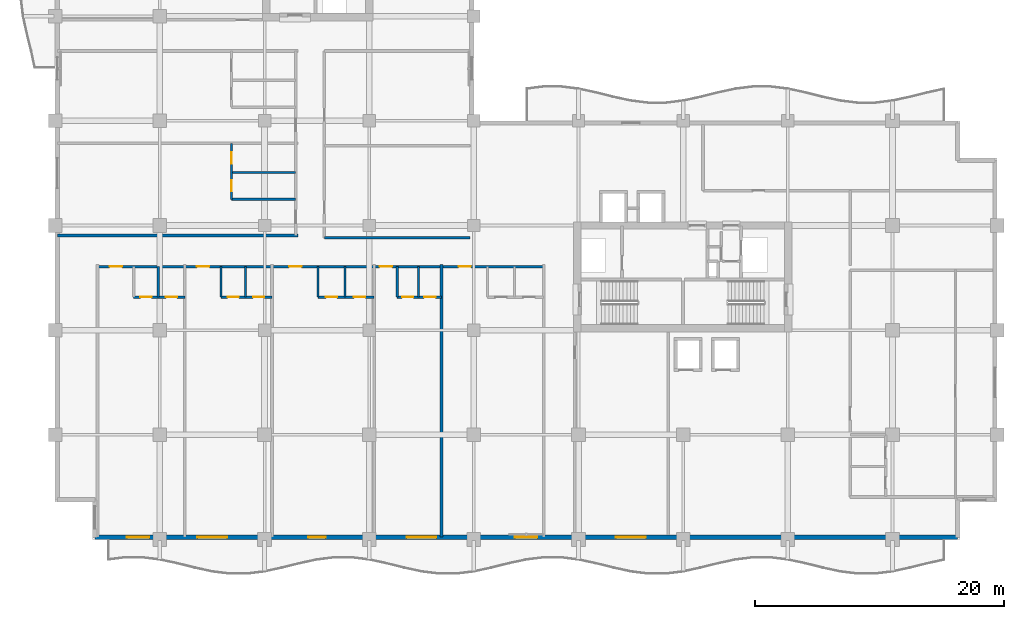
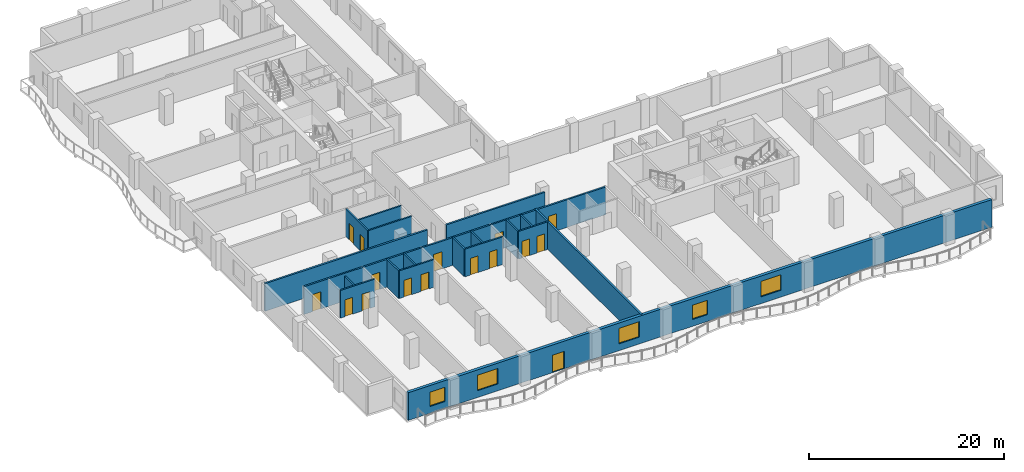
# One storey, part 4 of 15: 19 walls, 16 doors, 5 windows, 21 openings.
"""IFC4 building model written with IfcOpenShell, lengths in metres."""

from ifc_helpers import new_model, si_unit, direction, frame, frame_2d, origin, place, context, subcontext, project, spatial, rectangle, extrude, material, layer, layer_set, type_object, element, fill, save


model = new_model("IFC4")

# Units and contexts
model_context = context("Model", 3, precision=1e-05, world=origin(), true_north=direction((0.0, 1.0)))
body_context = subcontext(model_context, "Body", "Model", "MODEL_VIEW")
ifc_project = project(units=[si_unit("LENGTHUNIT", "METRE"), si_unit("AREAUNIT", "SQUARE_METRE"), si_unit("VOLUMEUNIT", "CUBIC_METRE"), si_unit("PLANEANGLEUNIT", "RADIAN"), si_unit("MASSUNIT", "GRAM", prefix="KILO")], contexts=[model_context])

# Site, building, storey
site_placement = place(None, origin())
site = spatial("IfcSite", under=ifc_project, at=site_placement, CompositionType="ELEMENT")
building_placement = place(site_placement, origin())
building = spatial("IfcBuilding", under=site, at=building_placement, Name="Koriwani Terraces Tower", CompositionType="ELEMENT")
storey_placement = place(building_placement, frame((0.0, 0.0, 193.89990234375)))
storey = spatial("IfcBuildingStorey", under=building, at=storey_placement, Name="L47", CompositionType="ELEMENT", Elevation=193.89990234375)

# Wall
ifc_material_1 = material(Name="Autoclaved Cellular Concrete Blockwork", Category="masonry")
ifc_layer_1 = layer(ifc_material_1, 0.199951171875, Name="Autoclaved Cellular Concrete Blockwork")
ifc_layer_set_1 = layer_set([ifc_layer_1], Name="Autoclaved Cellular Concrete Blockwork")
wall_type_1 = type_object("IfcWallType", Name="WALL_CORRIDOR_200", PredefinedType="PARTITIONING", material=ifc_layer_set_1)
wall_1_placement = place(storey_placement, frame((21.60009765625, 24.199951171875, 0.0), z_axis=(0.0, 0.0, 1.0), x_axis=(1.0, 0.0, 0.0)))
element("IfcWall", 1, at=wall_1_placement, inside=storey, type_object=wall_type_1, Name="L47 Interior Wall WIC2-S-L47", PredefinedType="PARTITIONING", context=body_context, shape_type="SweptSolid", body=[
    extrude(rectangle(XDim=11.699951171875, YDim=0.199951171875, at=frame_2d((5.85009765625, 0.0))), origin(), (0.0, 0.0, 1.0), 3.47021484375),
])

# Wall, openings, doors
wall_2_placement = place(storey_placement, frame((3.39990234375, 21.89990234375, 0.0), z_axis=(0.0, 0.0, 1.0), x_axis=(1.0, 0.0, 0.0)))
wall_2 = element("IfcWall", 2, at=wall_2_placement, inside=storey, type_object=wall_type_1, Name="L47 Interior Wall WRCOR-L47-SW-0", PredefinedType="PARTITIONING", context=body_context, shape_type="SweptSolid", body=[
    extrude(rectangle(XDim=35.800048828125, YDim=0.199951171875, at=frame_2d((17.89990234375, 0.0))), origin(), (0.0, 0.0, 1.0), 3.47021484375),
])
opening_1_placement = place(wall_2_placement, frame((0.969970703125, 0.0, 0.0)))
opening_1 = element("IfcOpeningElement", 3, at=opening_1_placement, cuts=wall_2, Name="Opening D-05", PredefinedType="OPENING", context=body_context, shape_type="SweptSolid", body=[
    extrude(rectangle(XDim=1.0, YDim=2.14990234375, at=frame_2d((0.5, 1.074951171875))), frame((0.0, 0.10986328125, 0.0), z_axis=(0.0, -1.0, 0.0), x_axis=(1.0, 0.0, 0.0)), (0.0, 0.0, 1.0), 0.219970703125),
])
opening_2_placement = place(wall_2_placement, frame((7.969970703125, 0.0, 0.0)))
opening_2 = element("IfcOpeningElement", 4, at=opening_2_placement, cuts=wall_2, Name="Opening D-05", PredefinedType="OPENING", context=body_context, shape_type="SweptSolid", body=[
    extrude(rectangle(XDim=1.0, YDim=2.14990234375, at=frame_2d((0.5, 1.074951171875))), frame((0.0, 0.10986328125, 0.0), z_axis=(0.0, -1.0, 0.0), x_axis=(1.0, 0.0, 0.0)), (0.0, 0.0, 1.0), 0.219970703125),
])
opening_3_placement = place(wall_2_placement, frame((15.3701171875, 0.0, 0.0)))
opening_3 = element("IfcOpeningElement", 5, at=opening_3_placement, cuts=wall_2, Name="Opening D-05", PredefinedType="OPENING", context=body_context, shape_type="SweptSolid", body=[
    extrude(rectangle(XDim=1.0, YDim=2.14990234375, at=frame_2d((0.5, 1.074951171875))), frame((0.0, 0.10986328125, 0.0), z_axis=(0.0, -1.0, 0.0), x_axis=(1.0, 0.0, 0.0)), (0.0, 0.0, 1.0), 0.219970703125),
])
opening_4_placement = place(wall_2_placement, frame((22.64501953125, 0.0, 0.0)))
opening_4 = element("IfcOpeningElement", 6, at=opening_4_placement, cuts=wall_2, Name="Opening D-05", PredefinedType="OPENING", context=body_context, shape_type="SweptSolid", body=[
    extrude(rectangle(XDim=1.0, YDim=2.14990234375, at=frame_2d((0.5, 1.074951171875))), frame((0.0, 0.10986328125, 0.0), z_axis=(0.0, -1.0, 0.0), x_axis=(1.0, 0.0, 0.0)), (0.0, 0.0, 1.0), 0.219970703125),
])
opening_5_placement = place(wall_2_placement, frame((28.969970703125, 0.0, 0.0)))
opening_5 = element("IfcOpeningElement", 7, at=opening_5_placement, cuts=wall_2, Name="Opening D-05", PredefinedType="OPENING", context=body_context, shape_type="SweptSolid", body=[
    extrude(rectangle(XDim=1.0, YDim=2.14990234375, at=frame_2d((0.5, 1.074951171875))), frame((0.0, 0.10986328125, 0.0), z_axis=(0.0, -1.0, 0.0), x_axis=(1.0, 0.0, 0.0)), (0.0, 0.0, 1.0), 0.219970703125),
])
ifc_material_2 = material(Name="Architectural Oak Fire Door", Category="wood")
door_type_1 = type_object("IfcDoorType", Name="DOOR_SUITE_ENTRY_1000X2150", OperationType="NOTDEFINED", PredefinedType="DOOR", material=ifc_material_2)
door_1_placement = place(opening_1_placement, origin())
door_1 = element("IfcDoor", 8, at=door_1_placement, inside=storey, type_object=door_type_1, Name="Apartment 47SW1 Entrance Door", OperationType="SINGLE_SWING_LEFT", OverallHeight=2.14990234375, OverallWidth=1.0, PredefinedType="DOOR", context=body_context, shape_type="SweptSolid", body=[
    extrude(rectangle(XDim=1.0, YDim=2.14990234375, at=frame_2d((0.5, 1.074951171875))), frame((0.0, 0.02490234375, 0.0), z_axis=(0.0, -1.0, 0.0), x_axis=(1.0, 0.0, 0.0)), (0.0, 0.0, 1.0), 0.050048828125),
])
fill(opening_1, door_1)
door_2_placement = place(opening_2_placement, origin())
door_2 = element("IfcDoor", 9, at=door_2_placement, inside=storey, type_object=door_type_1, Name="Apartment 47SW2 Entrance Door", OperationType="SINGLE_SWING_RIGHT", OverallHeight=2.14990234375, OverallWidth=1.0, PredefinedType="DOOR", context=body_context, shape_type="SweptSolid", body=[
    extrude(rectangle(XDim=1.0, YDim=2.14990234375, at=frame_2d((0.5, 1.074951171875))), frame((0.0, 0.02490234375, 0.0), z_axis=(0.0, -1.0, 0.0), x_axis=(1.0, 0.0, 0.0)), (0.0, 0.0, 1.0), 0.050048828125),
])
fill(opening_2, door_2)
door_3_placement = place(opening_3_placement, origin())
door_3 = element("IfcDoor", 10, at=door_3_placement, inside=storey, type_object=door_type_1, Name="Apartment 47SW3 Entrance Door", OperationType="SINGLE_SWING_LEFT", OverallHeight=2.14990234375, OverallWidth=1.0, PredefinedType="DOOR", context=body_context, shape_type="SweptSolid", body=[
    extrude(rectangle(XDim=1.0, YDim=2.14990234375, at=frame_2d((0.5, 1.074951171875))), frame((0.0, 0.02490234375, 0.0), z_axis=(0.0, -1.0, 0.0), x_axis=(1.0, 0.0, 0.0)), (0.0, 0.0, 1.0), 0.050048828125),
])
fill(opening_3, door_3)
door_4_placement = place(opening_4_placement, origin())
door_4 = element("IfcDoor", 11, at=door_4_placement, inside=storey, type_object=door_type_1, Name="Apartment 47SW4 Entrance Door", OperationType="SINGLE_SWING_RIGHT", OverallHeight=2.14990234375, OverallWidth=1.0, PredefinedType="DOOR", context=body_context, shape_type="SweptSolid", body=[
    extrude(rectangle(XDim=1.0, YDim=2.14990234375, at=frame_2d((0.5, 1.074951171875))), frame((0.0, 0.02490234375, 0.0), z_axis=(0.0, -1.0, 0.0), x_axis=(1.0, 0.0, 0.0)), (0.0, 0.0, 1.0), 0.050048828125),
])
fill(opening_4, door_4)
door_5_placement = place(opening_5_placement, origin())
door_5 = element("IfcDoor", 12, at=door_5_placement, inside=storey, type_object=door_type_1, Name="Apartment 47SW5 Entrance Door", OperationType="SINGLE_SWING_LEFT", OverallHeight=2.14990234375, OverallWidth=1.0, PredefinedType="DOOR", context=body_context, shape_type="SweptSolid", body=[
    extrude(rectangle(XDim=1.0, YDim=2.14990234375, at=frame_2d((0.5, 1.074951171875))), frame((0.0, 0.02490234375, 0.0), z_axis=(0.0, -1.0, 0.0), x_axis=(1.0, 0.0, 0.0)), (0.0, 0.0, 1.0), 0.050048828125),
])
fill(opening_5, door_5)

# Walls
ifc_layer_2 = layer(ifc_material_1, 0.219970703125, Name="Autoclaved Cellular Concrete Blockwork")
ifc_layer_set_2 = layer_set([ifc_layer_2], Name="Autoclaved Cellular Concrete Blockwork")
wall_type_2 = type_object("IfcWallType", Name="WALL_DEMISING_220", PredefinedType="PARTITIONING", material=ifc_layer_set_2)
wall_3_placement = place(storey_placement, frame((31.0, 0.199951171875, 0.0), z_axis=(0.0, 0.0, 1.0), x_axis=(0.0, 1.0, 0.0)))
element("IfcWall", 13, at=wall_3_placement, inside=storey, type_object=wall_type_2, Name="L47 Interior Wall WRDEM-L47-SW-4", PredefinedType="PARTITIONING", context=body_context, shape_type="SweptSolid", body=[
    extrude(rectangle(XDim=21.880126953125, YDim=0.219970703125, at=frame_2d((10.93994140625, 0.0))), origin(), (0.0, 0.0, 1.0), 3.47021484375),
])
wall_4_placement = place(storey_placement, frame((0.199951171875, 24.39990234375, 0.0), z_axis=(0.0, 0.0, 1.0), x_axis=(1.0, 0.0, 0.0)))
element("IfcWall", 14, at=wall_4_placement, inside=storey, type_object=wall_type_2, Name="L47 Interior Wall WRDEM-L47-NW-0", PredefinedType="PARTITIONING", context=body_context, shape_type="SweptSolid", body=[
    extrude(rectangle(XDim=19.280029296875, YDim=0.219970703125, at=frame_2d((9.64013671875, 0.0))), origin(), (0.0, 0.0, 1.0), 3.47021484375),
])

# Wall, openings, door, windows
ifc_material_3 = material(Name="Concrete C50/60", Category="concrete")
ifc_layer_3 = layer(ifc_material_3, 0.35009765625, Name="Concrete C50/60")
ifc_layer_set_3 = layer_set([ifc_layer_3], Name="Concrete C50/60")
wall_type_3 = type_object("IfcWallType", Name="WALL_EXT_BRUTALIST_350", PredefinedType="STANDARD", material=ifc_layer_set_3)
wall_5_placement = place(storey_placement, frame((72.425048828125, 0.175048828125, 0.0), z_axis=(0.0, 0.0, 1.0), x_axis=(-1.0, 0.0, 0.0)))
wall_5 = element("IfcWall", 15, at=wall_5_placement, inside=storey, type_object=wall_type_3, Name="L47 Fair-Faced Brutalist Exterior Wall (S)", PredefinedType="STANDARD", context=body_context, shape_type="SweptSolid", body=[
    extrude(rectangle(XDim=69.25, YDim=0.35009765625, at=frame_2d((34.625, 0.0))), origin(), (0.0, 0.0, 1.0), 3.47021484375),
])
opening_6_placement = place(wall_5_placement, frame((50.72509765625, 0.0, 0.0)))
opening_6 = element("IfcOpeningElement", 16, at=opening_6_placement, cuts=wall_5, Name="Opening D-09", PredefinedType="OPENING", context=body_context, shape_type="SweptSolid", body=[
    extrude(rectangle(XDim=1.39990234375, YDim=2.199951171875, at=frame_2d((0.699951171875, 1.10009765625))), frame((0.0, 0.18505859375, 0.0), z_axis=(0.0, -1.0, 0.0), x_axis=(1.0, 0.0, 0.0)), (0.0, 0.0, 1.0), 0.3701171875),
])
opening_7_placement = place(wall_5_placement, frame((58.625, 0.0, 0.85009765625)))
opening_7 = element("IfcOpeningElement", 17, at=opening_7_placement, cuts=wall_5, Name="Opening W-03", PredefinedType="OPENING", context=body_context, shape_type="SweptSolid", body=[
    extrude(rectangle(XDim=2.39990234375, YDim=1.949951171875, at=frame_2d((1.199951171875, 0.97509765625))), frame((0.0, 0.18505859375, 0.0), z_axis=(0.0, -1.0, 0.0), x_axis=(1.0, 0.0, 0.0)), (0.0, 0.0, 1.0), 0.3701171875),
])
opening_8_placement = place(wall_5_placement, frame((41.824951171875, 0.0, 0.85009765625)))
opening_8 = element("IfcOpeningElement", 18, at=opening_8_placement, cuts=wall_5, Name="Opening W-03", PredefinedType="OPENING", context=body_context, shape_type="SweptSolid", body=[
    extrude(rectangle(XDim=2.39990234375, YDim=1.949951171875, at=frame_2d((1.199951171875, 0.97509765625))), frame((0.0, 0.18505859375, 0.0), z_axis=(0.0, -1.0, 0.0), x_axis=(1.0, 0.0, 0.0)), (0.0, 0.0, 1.0), 0.3701171875),
])
opening_9_placement = place(wall_5_placement, frame((33.72509765625, 0.0, 0.85009765625)))
opening_9 = element("IfcOpeningElement", 19, at=opening_9_placement, cuts=wall_5, Name="Opening W-04", PredefinedType="OPENING", context=body_context, shape_type="SweptSolid", body=[
    extrude(rectangle(XDim=1.800048828125, YDim=1.800048828125, at=frame_2d((0.89990234375, 0.89990234375))), frame((0.0, 0.18505859375, 0.0), z_axis=(0.0, -1.0, 0.0), x_axis=(1.0, 0.0, 0.0)), (0.0, 0.0, 1.0), 0.3701171875),
])
opening_10_placement = place(wall_5_placement, frame((25.02490234375, 0.0, 0.85009765625)))
opening_10 = element("IfcOpeningElement", 20, at=opening_10_placement, cuts=wall_5, Name="Opening W-03", PredefinedType="OPENING", context=body_context, shape_type="SweptSolid", body=[
    extrude(rectangle(XDim=2.39990234375, YDim=1.949951171875, at=frame_2d((1.199951171875, 0.97509765625))), frame((0.0, 0.18505859375, 0.0), z_axis=(0.0, -1.0, 0.0), x_axis=(1.0, 0.0, 0.0)), (0.0, 0.0, 1.0), 0.3701171875),
])
opening_11_placement = place(wall_5_placement, frame((64.875, 0.0, 0.85009765625)))
opening_11 = element("IfcOpeningElement", 21, at=opening_11_placement, cuts=wall_5, Name="Opening W-04", PredefinedType="OPENING", context=body_context, shape_type="SweptSolid", body=[
    extrude(rectangle(XDim=1.800048828125, YDim=1.800048828125, at=frame_2d((0.89990234375, 0.89990234375))), frame((0.0, 0.18505859375, 0.0), z_axis=(0.0, -1.0, 0.0), x_axis=(1.0, 0.0, 0.0)), (0.0, 0.0, 1.0), 0.3701171875),
])
ifc_material_4 = material(Name="Anodised Bronze Aluminium", Category="aluminium")
door_type_2 = type_object("IfcDoorType", Name="DOOR_BALCONY_GLAZED_1400X2200", OperationType="NOTDEFINED", PredefinedType="DOOR", material=ifc_material_4)
door_6_placement = place(opening_6_placement, origin())
door_6 = element("IfcDoor", 22, at=door_6_placement, inside=storey, type_object=door_type_2, Name="L47 South Balcony Glazed Door", OperationType="SINGLE_SWING_LEFT", OverallHeight=2.199951171875, OverallWidth=1.39990234375, PredefinedType="DOOR", context=body_context, shape_type="SweptSolid", body=[
    extrude(rectangle(XDim=1.39990234375, YDim=2.199951171875, at=frame_2d((0.699951171875, 1.10009765625))), frame((0.0, 0.02490234375, 0.0), z_axis=(0.0, -1.0, 0.0), x_axis=(1.0, 0.0, 0.0)), (0.0, 0.0, 1.0), 0.050048828125),
])
fill(opening_6, door_6)
ifc_material_5 = material(Name="Tempered Laminated Low-E Glass", Category="glass")
window_type_1 = type_object("IfcWindowType", Name="WIN_RES_BED_1800X1800", PartitioningType="DOUBLE_PANEL_VERTICAL", PredefinedType="WINDOW", material=ifc_material_5)
window_1_placement = place(opening_9_placement, origin())
window_1 = element("IfcWindow", 23, at=window_1_placement, inside=storey, type_object=window_type_1, Name="L47 Exterior Window (S-12)", OverallHeight=1.800048828125, OverallWidth=1.800048828125, PartitioningType="SINGLE_PANEL", PredefinedType="WINDOW", context=body_context, shape_type="SweptSolid", body=[
    extrude(rectangle(XDim=1.800048828125, YDim=1.800048828125, at=frame_2d((0.89990234375, 0.89990234375))), frame((0.0, 0.030029296875, 0.0), z_axis=(0.0, -1.0, 0.0), x_axis=(1.0, 0.0, 0.0)), (0.0, 0.0, 1.0), 0.06005859375),
])
fill(opening_9, window_1)
window_2_placement = place(opening_11_placement, origin())
window_2 = element("IfcWindow", 24, at=window_2_placement, inside=storey, type_object=window_type_1, Name="L47 Exterior Window (S-R34)", OverallHeight=1.800048828125, OverallWidth=1.800048828125, PartitioningType="SINGLE_PANEL", PredefinedType="WINDOW", context=body_context, shape_type="SweptSolid", body=[
    extrude(rectangle(XDim=1.800048828125, YDim=1.800048828125, at=frame_2d((0.89990234375, 0.89990234375))), frame((0.0, 0.030029296875, 0.0), z_axis=(0.0, -1.0, 0.0), x_axis=(1.0, 0.0, 0.0)), (0.0, 0.0, 1.0), 0.06005859375),
])
fill(opening_11, window_2)
window_type_2 = type_object("IfcWindowType", Name="WIN_RES_LIVING_2400X1950", PartitioningType="DOUBLE_PANEL_VERTICAL", PredefinedType="WINDOW", material=ifc_material_5)
window_3_placement = place(opening_7_placement, origin())
window_3 = element("IfcWindow", 25, at=window_3_placement, inside=storey, type_object=window_type_2, Name="L47 Exterior Window (S-3)", OverallHeight=1.949951171875, OverallWidth=2.39990234375, PartitioningType="SINGLE_PANEL", PredefinedType="WINDOW", context=body_context, shape_type="SweptSolid", body=[
    extrude(rectangle(XDim=2.39990234375, YDim=1.949951171875, at=frame_2d((1.199951171875, 0.97509765625))), frame((0.0, 0.030029296875, 0.0), z_axis=(0.0, -1.0, 0.0), x_axis=(1.0, 0.0, 0.0)), (0.0, 0.0, 1.0), 0.06005859375),
])
fill(opening_7, window_3)
window_4_placement = place(opening_8_placement, origin())
window_4 = element("IfcWindow", 26, at=window_4_placement, inside=storey, type_object=window_type_2, Name="L47 Exterior Window (S-9)", OverallHeight=1.949951171875, OverallWidth=2.39990234375, PartitioningType="SINGLE_PANEL", PredefinedType="WINDOW", context=body_context, shape_type="SweptSolid", body=[
    extrude(rectangle(XDim=2.39990234375, YDim=1.949951171875, at=frame_2d((1.199951171875, 0.97509765625))), frame((0.0, 0.030029296875, 0.0), z_axis=(0.0, -1.0, 0.0), x_axis=(1.0, 0.0, 0.0)), (0.0, 0.0, 1.0), 0.06005859375),
])
fill(opening_8, window_4)
window_5_placement = place(opening_10_placement, origin())
window_5 = element("IfcWindow", 27, at=window_5_placement, inside=storey, type_object=window_type_2, Name="L47 Exterior Window (S-15)", OverallHeight=1.949951171875, OverallWidth=2.39990234375, PartitioningType="SINGLE_PANEL", PredefinedType="WINDOW", context=body_context, shape_type="SweptSolid", body=[
    extrude(rectangle(XDim=2.39990234375, YDim=1.949951171875, at=frame_2d((1.199951171875, 0.97509765625))), frame((0.0, 0.030029296875, 0.0), z_axis=(0.0, -1.0, 0.0), x_axis=(1.0, 0.0, 0.0)), (0.0, 0.0, 1.0), 0.06005859375),
])
fill(opening_10, window_5)

# Wall, openings, doors
ifc_material_6 = material(Name="Fire-Rated Acoustic Gypsum Partition", Category="masonry")
ifc_layer_4 = layer(ifc_material_6, 0.179931640625, Name="Fire-Rated Acoustic Gypsum Partition")
ifc_layer_set_4 = layer_set([ifc_layer_4], Name="Fire-Rated Acoustic Gypsum Partition")
wall_type_4 = type_object("IfcWallType", Name="WALL_PLUMBING_180", PredefinedType="PLUMBINGWALL", material=ifc_layer_set_4)
wall_6_placement = place(storey_placement, frame((6.300048828125, 19.449951171875, 0.0), z_axis=(0.0, 0.0, 1.0), x_axis=(1.0, 0.0, 0.0)))
wall_6 = element("IfcWall", 28, at=wall_6_placement, inside=storey, type_object=wall_type_4, Name="L47 Interior Wall WRSVC-L47-SW-0", PredefinedType="PLUMBINGWALL", context=body_context, shape_type="SweptSolid", body=[
    extrude(rectangle(XDim=4.099853515625, YDim=0.179931640625, at=frame_2d((2.0498046875, 0.0))), origin(), (0.0, 0.0, 1.0), 3.47021484375),
])
opening_12_placement = place(wall_6_placement, frame((0.533935546875, 0.0, 0.0)))
opening_12 = element("IfcOpeningElement", 29, at=opening_12_placement, cuts=wall_6, Name="Opening D-07", PredefinedType="OPENING", context=body_context, shape_type="SweptSolid", body=[
    extrude(rectangle(XDim=0.89990234375, YDim=2.10009765625, at=frame_2d((0.449951171875, 1.050048828125))), frame((0.0, 0.10009765625, 0.0), z_axis=(0.0, -1.0, 0.0), x_axis=(1.0, 0.0, 0.0)), (0.0, 0.0, 1.0), 0.199951171875),
])
opening_13_placement = place(wall_6_placement, frame((2.573974609375, 0.0, 0.0)))
opening_13 = element("IfcOpeningElement", 30, at=opening_13_placement, cuts=wall_6, Name="Opening D-06", PredefinedType="OPENING", context=body_context, shape_type="SweptSolid", body=[
    extrude(rectangle(XDim=0.919921875, YDim=2.10009765625, at=frame_2d((0.4599609375, 1.050048828125))), frame((0.0, 0.10009765625, 0.0), z_axis=(0.0, -1.0, 0.0), x_axis=(1.0, 0.0, 0.0)), (0.0, 0.0, 1.0), 0.199951171875),
])
door_type_3 = type_object("IfcDoorType", Name="DOOR_BATH_INT_900X2100", OperationType="NOTDEFINED", PredefinedType="DOOR", material=ifc_material_2)
door_7_placement = place(opening_12_placement, origin())
door_7 = element("IfcDoor", 31, at=door_7_placement, inside=storey, type_object=door_type_3, Name="Apartment 47SW1 Bathroom Door", OperationType="SINGLE_SWING_RIGHT", OverallHeight=2.10009765625, OverallWidth=0.89990234375, PredefinedType="DOOR", context=body_context, shape_type="SweptSolid", body=[
    extrude(rectangle(XDim=0.89990234375, YDim=2.10009765625, at=frame_2d((0.449951171875, 1.050048828125))), frame((0.0, 0.02490234375, 0.0), z_axis=(0.0, -1.0, 0.0), x_axis=(1.0, 0.0, 0.0)), (0.0, 0.0, 1.0), 0.050048828125),
])
fill(opening_12, door_7)
door_type_4 = type_object("IfcDoorType", Name="DOOR_ROOM_INT_920X2100", OperationType="NOTDEFINED", PredefinedType="DOOR", material=ifc_material_2)
door_8_placement = place(opening_13_placement, origin())
door_8 = element("IfcDoor", 32, at=door_8_placement, inside=storey, type_object=door_type_4, Name="Apartment 47SW1 Kitchen Door", OperationType="SINGLE_SWING_LEFT", OverallHeight=2.10009765625, OverallWidth=0.919921875, PredefinedType="DOOR", context=body_context, shape_type="SweptSolid", body=[
    extrude(rectangle(XDim=0.919921875, YDim=2.10009765625, at=frame_2d((0.4599609375, 1.050048828125))), frame((0.0, 0.02490234375, 0.0), z_axis=(0.0, -1.0, 0.0), x_axis=(1.0, 0.0, 0.0)), (0.0, 0.0, 1.0), 0.050048828125),
])
fill(opening_13, door_8)

# Wall
wall_7_placement = place(storey_placement, frame((8.26806640625, 19.449951171875, 0.0), z_axis=(0.0, 0.0, 1.0), x_axis=(0.0, 1.0, 0.0)))
element("IfcWall", 33, at=wall_7_placement, inside=storey, type_object=wall_type_4, Name="L47 Interior Wall WRSVCM-L47-SW-0", PredefinedType="PLUMBINGWALL", context=body_context, shape_type="SweptSolid", body=[
    extrude(rectangle(XDim=2.449951171875, YDim=0.179931640625, at=frame_2d((1.22509765625, 0.0))), origin(), (0.0, 0.0, 1.0), 3.1162109375),
])

# Wall, openings, doors
wall_8_placement = place(storey_placement, frame((13.300048828125, 19.449951171875, 0.0), z_axis=(0.0, 0.0, 1.0), x_axis=(1.0, 0.0, 0.0)))
wall_8 = element("IfcWall", 34, at=wall_8_placement, inside=storey, type_object=wall_type_4, Name="L47 Interior Wall WRSVC-L47-SW-1", PredefinedType="PLUMBINGWALL", context=body_context, shape_type="SweptSolid", body=[
    extrude(rectangle(XDim=4.099853515625, YDim=0.179931640625, at=frame_2d((2.0498046875, 0.0))), origin(), (0.0, 0.0, 1.0), 3.47021484375),
])
opening_14_placement = place(wall_8_placement, frame((0.533935546875, 0.0, 0.0)))
opening_14 = element("IfcOpeningElement", 35, at=opening_14_placement, cuts=wall_8, Name="Opening D-07", PredefinedType="OPENING", context=body_context, shape_type="SweptSolid", body=[
    extrude(rectangle(XDim=0.89990234375, YDim=2.10009765625, at=frame_2d((0.449951171875, 1.050048828125))), frame((0.0, 0.10009765625, 0.0), z_axis=(0.0, -1.0, 0.0), x_axis=(1.0, 0.0, 0.0)), (0.0, 0.0, 1.0), 0.199951171875),
])
opening_15_placement = place(wall_8_placement, frame((2.573974609375, 0.0, 0.0)))
opening_15 = element("IfcOpeningElement", 36, at=opening_15_placement, cuts=wall_8, Name="Opening D-06", PredefinedType="OPENING", context=body_context, shape_type="SweptSolid", body=[
    extrude(rectangle(XDim=0.919921875, YDim=2.10009765625, at=frame_2d((0.4599609375, 1.050048828125))), frame((0.0, 0.10009765625, 0.0), z_axis=(0.0, -1.0, 0.0), x_axis=(1.0, 0.0, 0.0)), (0.0, 0.0, 1.0), 0.199951171875),
])
door_9_placement = place(opening_14_placement, origin())
door_9 = element("IfcDoor", 37, at=door_9_placement, inside=storey, type_object=door_type_3, Name="Apartment 47SW2 Bathroom Door", OperationType="SINGLE_SWING_LEFT", OverallHeight=2.10009765625, OverallWidth=0.89990234375, PredefinedType="DOOR", context=body_context, shape_type="SweptSolid", body=[
    extrude(rectangle(XDim=0.89990234375, YDim=2.10009765625, at=frame_2d((0.449951171875, 1.050048828125))), frame((0.0, 0.02490234375, 0.0), z_axis=(0.0, -1.0, 0.0), x_axis=(1.0, 0.0, 0.0)), (0.0, 0.0, 1.0), 0.050048828125),
])
fill(opening_14, door_9)
door_10_placement = place(opening_15_placement, origin())
door_10 = element("IfcDoor", 38, at=door_10_placement, inside=storey, type_object=door_type_4, Name="Apartment 47SW2 Kitchen Door", OperationType="SINGLE_SWING_RIGHT", OverallHeight=2.10009765625, OverallWidth=0.919921875, PredefinedType="DOOR", context=body_context, shape_type="SweptSolid", body=[
    extrude(rectangle(XDim=0.919921875, YDim=2.10009765625, at=frame_2d((0.4599609375, 1.050048828125))), frame((0.0, 0.02490234375, 0.0), z_axis=(0.0, -1.0, 0.0), x_axis=(1.0, 0.0, 0.0)), (0.0, 0.0, 1.0), 0.050048828125),
])
fill(opening_15, door_10)

# Walls
for number, where, z_axis, x_axis, name in (
    (39, (13.300048828125, 19.449951171875, 0.0), (0.0, 0.0, 1.0), (0.0, 1.0, 0.0), "L47 Interior Wall WRSVCS-L47-SW-1"),
    (40, (15.26806640625, 19.449951171875, 0.0), (0.0, 0.0, 1.0), (0.0, 1.0, 0.0), "L47 Interior Wall WRSVCM-L47-SW-1"),
):
    element("IfcWall", number, at=place(storey_placement, frame(where, z_axis=z_axis, x_axis=x_axis)), inside=storey, type_object=wall_type_4, Name=name, PredefinedType="PLUMBINGWALL", context=body_context, shape_type="SweptSolid", body=[
        extrude(rectangle(XDim=2.449951171875, YDim=0.179931640625, at=frame_2d((1.22509765625, 0.0))), origin(), (0.0, 0.0, 1.0), 3.47021484375),
    ])

# Wall, openings, doors
wall_9_placement = place(storey_placement, frame((21.10009765625, 19.449951171875, 0.0), z_axis=(0.0, 0.0, 1.0), x_axis=(1.0, 0.0, 0.0)))
wall_9 = element("IfcWall", 41, at=wall_9_placement, inside=storey, type_object=wall_type_4, Name="L47 Interior Wall WRSVC-L47-SW-2", PredefinedType="PLUMBINGWALL", context=body_context, shape_type="SweptSolid", body=[
    extrude(rectangle(XDim=4.5, YDim=0.179931640625, at=frame_2d((2.25, 0.0))), origin(), (0.0, 0.0, 1.0), 3.47021484375),
])
opening_16_placement = place(wall_9_placement, frame((0.6298828125, 0.0, 0.0)))
opening_16 = element("IfcOpeningElement", 42, at=opening_16_placement, cuts=wall_9, Name="Opening D-07", PredefinedType="OPENING", context=body_context, shape_type="SweptSolid", body=[
    extrude(rectangle(XDim=0.89990234375, YDim=2.10009765625, at=frame_2d((0.449951171875, 1.050048828125))), frame((0.0, 0.10009765625, 0.0), z_axis=(0.0, -1.0, 0.0), x_axis=(1.0, 0.0, 0.0)), (0.0, 0.0, 1.0), 0.199951171875),
])
opening_17_placement = place(wall_9_placement, frame((2.8701171875, 0.0, 0.0)))
opening_17 = element("IfcOpeningElement", 43, at=opening_17_placement, cuts=wall_9, Name="Opening D-06", PredefinedType="OPENING", context=body_context, shape_type="SweptSolid", body=[
    extrude(rectangle(XDim=0.919921875, YDim=2.10009765625, at=frame_2d((0.4599609375, 1.050048828125))), frame((0.0, 0.10009765625, 0.0), z_axis=(0.0, -1.0, 0.0), x_axis=(1.0, 0.0, 0.0)), (0.0, 0.0, 1.0), 0.199951171875),
])
door_11_placement = place(opening_16_placement, origin())
door_11 = element("IfcDoor", 44, at=door_11_placement, inside=storey, type_object=door_type_3, Name="Apartment 47SW3 Bathroom Door", OperationType="SINGLE_SWING_RIGHT", OverallHeight=2.10009765625, OverallWidth=0.89990234375, PredefinedType="DOOR", context=body_context, shape_type="SweptSolid", body=[
    extrude(rectangle(XDim=0.89990234375, YDim=2.10009765625, at=frame_2d((0.449951171875, 1.050048828125))), frame((0.0, 0.02490234375, 0.0), z_axis=(0.0, -1.0, 0.0), x_axis=(1.0, 0.0, 0.0)), (0.0, 0.0, 1.0), 0.050048828125),
])
fill(opening_16, door_11)
door_12_placement = place(opening_17_placement, origin())
door_12 = element("IfcDoor", 45, at=door_12_placement, inside=storey, type_object=door_type_4, Name="Apartment 47SW3 Kitchen Door", OperationType="SINGLE_SWING_LEFT", OverallHeight=2.10009765625, OverallWidth=0.919921875, PredefinedType="DOOR", context=body_context, shape_type="SweptSolid", body=[
    extrude(rectangle(XDim=0.919921875, YDim=2.10009765625, at=frame_2d((0.4599609375, 1.050048828125))), frame((0.0, 0.02490234375, 0.0), z_axis=(0.0, -1.0, 0.0), x_axis=(1.0, 0.0, 0.0)), (0.0, 0.0, 1.0), 0.050048828125),
])
fill(opening_17, door_12)

# Walls
for number, where, z_axis, x_axis, name in (
    (46, (21.10009765625, 19.449951171875, 0.0), (0.0, 0.0, 1.0), (0.0, 1.0, 0.0), "L47 Interior Wall WRSVCS-L47-SW-2"),
    (47, (23.260009765625, 19.449951171875, 0.0), (0.0, 0.0, 1.0), (0.0, 1.0, 0.0), "L47 Interior Wall WRSVCM-L47-SW-2"),
):
    element("IfcWall", number, at=place(storey_placement, frame(where, z_axis=z_axis, x_axis=x_axis)), inside=storey, type_object=wall_type_4, Name=name, PredefinedType="PLUMBINGWALL", context=body_context, shape_type="SweptSolid", body=[
        extrude(rectangle(XDim=2.449951171875, YDim=0.179931640625, at=frame_2d((1.22509765625, 0.0))), origin(), (0.0, 0.0, 1.0), 3.47021484375),
    ])

# Wall, openings, doors
wall_10_placement = place(storey_placement, frame((27.449951171875, 19.449951171875, 0.0), z_axis=(0.0, 0.0, 1.0), x_axis=(1.0, 0.0, 0.0)))
wall_10 = element("IfcWall", 48, at=wall_10_placement, inside=storey, type_object=wall_type_4, Name="L47 Interior Wall WRSVC-L47-SW-3", PredefinedType="PLUMBINGWALL", context=body_context, shape_type="SweptSolid", body=[
    extrude(rectangle(XDim=3.550048828125, YDim=0.179931640625, at=frame_2d((1.77490234375, 0.0))), origin(), (0.0, 0.0, 1.0), 3.47021484375),
])
opening_18_placement = place(wall_10_placement, frame((0.402099609375, 0.0, 0.0)))
opening_18 = element("IfcOpeningElement", 49, at=opening_18_placement, cuts=wall_10, Name="Opening D-07", PredefinedType="OPENING", context=body_context, shape_type="SweptSolid", body=[
    extrude(rectangle(XDim=0.89990234375, YDim=2.10009765625, at=frame_2d((0.449951171875, 1.050048828125))), frame((0.0, 0.10009765625, 0.0), z_axis=(0.0, -1.0, 0.0), x_axis=(1.0, 0.0, 0.0)), (0.0, 0.0, 1.0), 0.199951171875),
])
opening_19_placement = place(wall_10_placement, frame((2.1669921875, 0.0, 0.0)))
opening_19 = element("IfcOpeningElement", 50, at=opening_19_placement, cuts=wall_10, Name="Opening D-06", PredefinedType="OPENING", context=body_context, shape_type="SweptSolid", body=[
    extrude(rectangle(XDim=0.919921875, YDim=2.10009765625, at=frame_2d((0.4599609375, 1.050048828125))), frame((0.0, 0.10009765625, 0.0), z_axis=(0.0, -1.0, 0.0), x_axis=(1.0, 0.0, 0.0)), (0.0, 0.0, 1.0), 0.199951171875),
])
door_13_placement = place(opening_18_placement, origin())
door_13 = element("IfcDoor", 51, at=door_13_placement, inside=storey, type_object=door_type_3, Name="Apartment 47SW4 Bathroom Door", OperationType="SINGLE_SWING_LEFT", OverallHeight=2.10009765625, OverallWidth=0.89990234375, PredefinedType="DOOR", context=body_context, shape_type="SweptSolid", body=[
    extrude(rectangle(XDim=0.89990234375, YDim=2.10009765625, at=frame_2d((0.449951171875, 1.050048828125))), frame((0.0, 0.02490234375, 0.0), z_axis=(0.0, -1.0, 0.0), x_axis=(1.0, 0.0, 0.0)), (0.0, 0.0, 1.0), 0.050048828125),
])
fill(opening_18, door_13)
door_14_placement = place(opening_19_placement, origin())
door_14 = element("IfcDoor", 52, at=door_14_placement, inside=storey, type_object=door_type_4, Name="Apartment 47SW4 Kitchen Door", OperationType="SINGLE_SWING_RIGHT", OverallHeight=2.10009765625, OverallWidth=0.919921875, PredefinedType="DOOR", context=body_context, shape_type="SweptSolid", body=[
    extrude(rectangle(XDim=0.919921875, YDim=2.10009765625, at=frame_2d((0.4599609375, 1.050048828125))), frame((0.0, 0.02490234375, 0.0), z_axis=(0.0, -1.0, 0.0), x_axis=(1.0, 0.0, 0.0)), (0.0, 0.0, 1.0), 0.050048828125),
])
fill(opening_19, door_14)

# Walls
for number, where, z_axis, x_axis, name in (
    (53, (27.449951171875, 19.449951171875, 0.0), (0.0, 0.0, 1.0), (0.0, 1.0, 0.0), "L47 Interior Wall WRSVCS-L47-SW-3"),
    (54, (29.154052734375, 19.449951171875, 0.0), (0.0, 0.0, 1.0), (0.0, 1.0, 0.0), "L47 Interior Wall WRSVCM-L47-SW-3"),
):
    element("IfcWall", number, at=place(storey_placement, frame(where, z_axis=z_axis, x_axis=x_axis)), inside=storey, type_object=wall_type_4, Name=name, PredefinedType="PLUMBINGWALL", context=body_context, shape_type="SweptSolid", body=[
        extrude(rectangle(XDim=2.449951171875, YDim=0.179931640625, at=frame_2d((1.22509765625, 0.0))), origin(), (0.0, 0.0, 1.0), 3.47021484375),
    ])

# Wall, openings, doors
wall_11_placement = place(storey_placement, frame((14.14990234375, 27.300048828125, 0.0), z_axis=(0.0, 0.0, 1.0), x_axis=(0.0, 1.0, 0.0)))
wall_11 = element("IfcWall", 55, at=wall_11_placement, inside=storey, type_object=wall_type_4, Name="L47 Interior Wall WRSVC-L47-NW-0", PredefinedType="PLUMBINGWALL", context=body_context, shape_type="SweptSolid", body=[
    extrude(rectangle(XDim=4.5, YDim=0.179931640625, at=frame_2d((2.25, 0.0))), origin(), (0.0, 0.0, 1.0), 3.47021484375),
])
opening_20_placement = place(wall_11_placement, frame((0.6298828125, 0.0, 0.0)))
opening_20 = element("IfcOpeningElement", 56, at=opening_20_placement, cuts=wall_11, Name="Opening D-07", PredefinedType="OPENING", context=body_context, shape_type="SweptSolid", body=[
    extrude(rectangle(XDim=0.89990234375, YDim=2.10009765625, at=frame_2d((0.449951171875, 1.050048828125))), frame((0.0, 0.10009765625, 0.0), z_axis=(0.0, -1.0, 0.0), x_axis=(1.0, 0.0, 0.0)), (0.0, 0.0, 1.0), 0.199951171875),
])
opening_21_placement = place(wall_11_placement, frame((2.8701171875, 0.0, 0.0)))
opening_21 = element("IfcOpeningElement", 57, at=opening_21_placement, cuts=wall_11, Name="Opening D-06", PredefinedType="OPENING", context=body_context, shape_type="SweptSolid", body=[
    extrude(rectangle(XDim=0.919921875, YDim=2.10009765625, at=frame_2d((0.4599609375, 1.050048828125))), frame((0.0, 0.10009765625, 0.0), z_axis=(0.0, -1.0, 0.0), x_axis=(1.0, 0.0, 0.0)), (0.0, 0.0, 1.0), 0.199951171875),
])
door_15_placement = place(opening_20_placement, origin())
door_15 = element("IfcDoor", 58, at=door_15_placement, inside=storey, type_object=door_type_3, Name="Apartment 47NW1 Bathroom Door", OperationType="SINGLE_SWING_LEFT", OverallHeight=2.10009765625, OverallWidth=0.89990234375, PredefinedType="DOOR", context=body_context, shape_type="SweptSolid", body=[
    extrude(rectangle(XDim=0.89990234375, YDim=2.10009765625, at=frame_2d((0.449951171875, 1.050048828125))), frame((0.0, 0.02490234375, 0.0), z_axis=(0.0, -1.0, 0.0), x_axis=(1.0, 0.0, 0.0)), (0.0, 0.0, 1.0), 0.050048828125),
])
fill(opening_20, door_15)
door_16_placement = place(opening_21_placement, origin())
door_16 = element("IfcDoor", 59, at=door_16_placement, inside=storey, type_object=door_type_4, Name="Apartment 47NW1 Kitchen Door", OperationType="SINGLE_SWING_RIGHT", OverallHeight=2.10009765625, OverallWidth=0.919921875, PredefinedType="DOOR", context=body_context, shape_type="SweptSolid", body=[
    extrude(rectangle(XDim=0.919921875, YDim=2.10009765625, at=frame_2d((0.4599609375, 1.050048828125))), frame((0.0, 0.02490234375, 0.0), z_axis=(0.0, -1.0, 0.0), x_axis=(1.0, 0.0, 0.0)), (0.0, 0.0, 1.0), 0.050048828125),
])
fill(opening_21, door_16)

# Walls
for number, where, z_axis, x_axis, name in (
    (60, (14.14990234375, 27.300048828125, 0.0), (0.0, 0.0, 1.0), (1.0, 0.0, 0.0), "L47 Interior Wall WRSVCS-L47-NW-0"),
    (61, (14.14990234375, 29.4599609375, 0.0), (0.0, 0.0, 1.0), (1.0, 0.0, 0.0), "L47 Interior Wall WRSVCM-L47-NW-0"),
):
    element("IfcWall", number, at=place(storey_placement, frame(where, z_axis=z_axis, x_axis=x_axis)), inside=storey, type_object=wall_type_4, Name=name, PredefinedType="PLUMBINGWALL", context=body_context, shape_type="SweptSolid", body=[
        extrude(rectangle(XDim=5.150146484375, YDim=0.179931640625, at=frame_2d((2.5751953125, 0.0))), origin(), (0.0, 0.0, 1.0), 3.47021484375),
    ])

save(model, "model.ifc")
